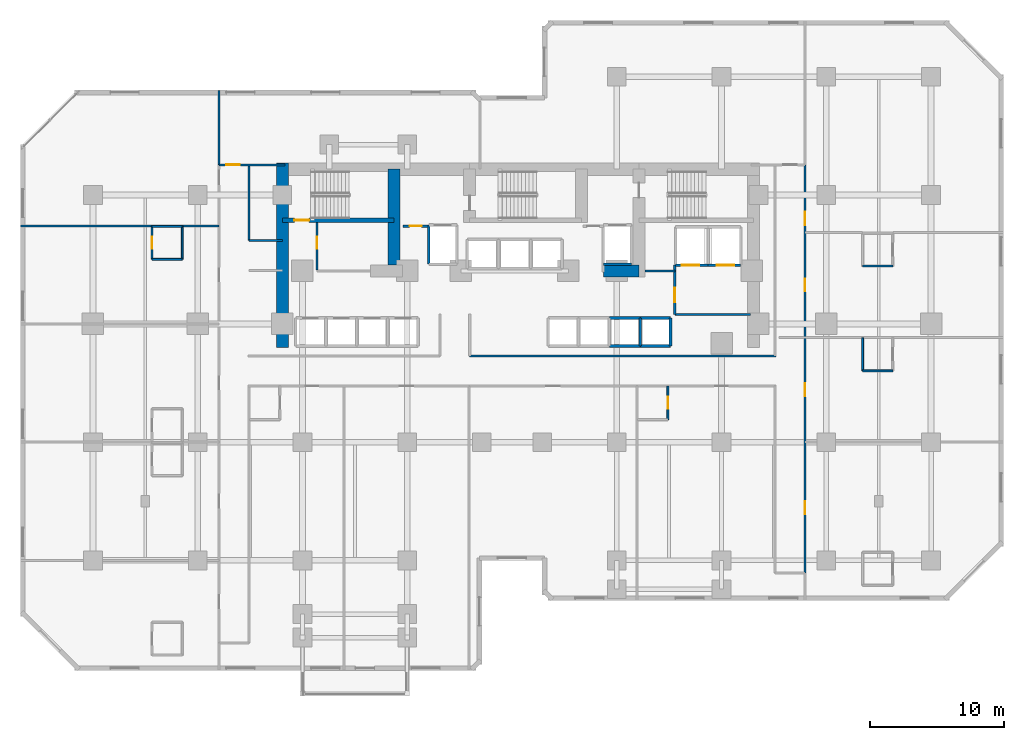
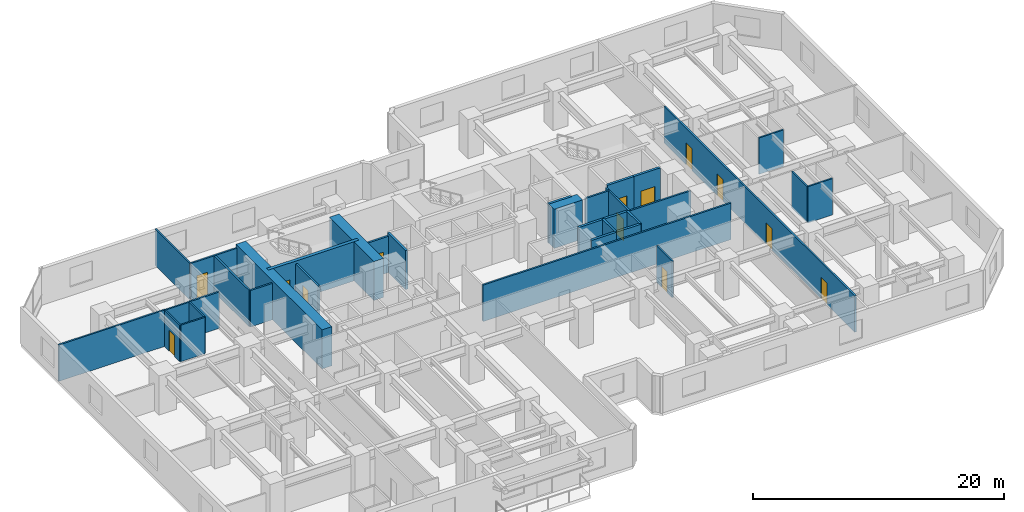
# One storey, part 7 of 11: 35 walls, 13 doors, 13 openings.
"""IFC4 building model written with IfcOpenShell, lengths in metres."""

from ifc_helpers import new_model, si_unit, direction, frame, frame_2d, origin, place, context, subcontext, project, spatial, rectangle, extrude, material, layer, layer_set, type_object, element, fill, save


model = new_model("IFC4")

# Units and contexts
model_context = context("Model", 3, precision=1e-05, world=origin(), true_north=direction((0.0, 1.0)))
body_context = subcontext(model_context, "Body", "Model", "MODEL_VIEW")
ifc_project = project(units=[si_unit("LENGTHUNIT", "METRE"), si_unit("AREAUNIT", "SQUARE_METRE"), si_unit("VOLUMEUNIT", "CUBIC_METRE"), si_unit("PLANEANGLEUNIT", "RADIAN"), si_unit("MASSUNIT", "GRAM", prefix="KILO")], contexts=[model_context])

# Site, building, storey
site_placement = place(None, origin())
site = spatial("IfcSite", under=ifc_project, at=site_placement, CompositionType="ELEMENT")
building_placement = place(site_placement, origin())
building = spatial("IfcBuilding", under=site, at=building_placement, Name="Kestravale Grand Hotel", CompositionType="ELEMENT")
storey_placement = place(building_placement, frame((0.0, 0.0, 29.800048828125)))
storey = spatial("IfcBuildingStorey", under=building, at=storey_placement, Name="L06", CompositionType="ELEMENT", Elevation=29.800048828125)

# Walls
ifc_material_1 = material(Name="Concrete f'c 70 MPa", Category="concrete")
ifc_layer_1 = layer(ifc_material_1, 0.89990234375)
ifc_layer_set_1 = layer_set([ifc_layer_1], Name="EW-CORE-900")
wall_type_1 = type_object("IfcWallType", Name="EW-CORE-900", PredefinedType="SHEAR", material=ifc_layer_set_1)
wall_1_placement = place(storey_placement, frame((21.89990234375, 27.050048828125, 0.0), z_axis=(0.0, 0.0, 1.0), x_axis=(0.0, 1.0, 0.0)))
element("IfcWall", 1, at=wall_1_placement, inside=storey, type_object=wall_type_1, Name="L06 core shear wall W1", PredefinedType="SHEAR", context=body_context, shape_type="SweptSolid", body=[
    extrude(rectangle(XDim=13.719970703125, YDim=0.89990234375, at=frame_2d((6.85986328125, 0.0))), origin(), (0.0, 0.0, 1.0), 3.800048828125),
])
wall_2_placement = place(storey_placement, frame((45.81005859375, 32.75, 0.0), z_axis=(0.0, 0.0, 1.0), x_axis=(1.0, 0.0, 0.0)))
element("IfcWall", 2, at=wall_2_placement, inside=storey, type_object=wall_type_1, Name="L06 core shear wall S2", PredefinedType="SHEAR", context=body_context, shape_type="SweptSolid", body=[
    extrude(rectangle(XDim=2.639892578125, YDim=0.89990234375, at=frame_2d((1.31982421875, 0.0))), origin(), (0.0, 0.0, 1.0), 3.800048828125),
])
wall_3_placement = place(storey_placement, frame((30.219970703125, 33.199951171875, 0.0), z_axis=(0.0, 0.0, 1.0), x_axis=(0.0, 1.0, 0.0)))
element("IfcWall", 3, at=wall_3_placement, inside=storey, type_object=wall_type_1, Name="L06 core shear wall X1", PredefinedType="SHEAR", context=body_context, shape_type="SweptSolid", body=[
    extrude(rectangle(XDim=7.1201171875, YDim=0.89990234375, at=frame_2d((3.56005859375, 0.0))), origin(), (0.0, 0.0, 1.0), 3.800048828125),
])

# Wall, opening, door
ifc_material_2 = material(Name="Concrete f'c 45 MPa", Category="concrete")
ifc_layer_2 = layer(ifc_material_2, 0.300048828125)
ifc_layer_set_2 = layer_set([ifc_layer_2], Name="EW-STAIR-300")
wall_type_2 = type_object("IfcWallType", Name="EW-STAIR-300", PredefinedType="SHEAR", material=ifc_layer_set_2)
wall_4_placement = place(storey_placement, frame((21.89990234375, 36.52001953125, 0.0), z_axis=(0.0, 0.0, 1.0), x_axis=(1.0, 0.0, 0.0)))
wall_4 = element("IfcWall", 4, at=wall_4_placement, inside=storey, type_object=wall_type_2, Name="L06 stair enclosure shear wall SST1", PredefinedType="SHEAR", context=body_context, shape_type="SweptSolid", body=[
    extrude(rectangle(XDim=8.320068359375, YDim=0.300048828125, at=frame_2d((4.16015625, 0.0))), origin(), (0.0, 0.0, 1.0), 3.800048828125),
])
opening_1_placement = place(wall_4_placement, frame((0.89990234375, 0.0, 0.0)))
opening_1 = element("IfcOpeningElement", 5, at=opening_1_placement, cuts=wall_4, Name="Opening D-ST-1100", PredefinedType="OPENING", context=body_context, shape_type="SweptSolid", body=[
    extrude(rectangle(XDim=1.10009765625, YDim=2.14990234375, at=frame_2d((0.550048828125, 1.074951171875))), frame((0.0, 0.159912109375, 0.0), z_axis=(0.0, -1.0, 0.0), x_axis=(1.0, 0.0, 0.0)), (0.0, 0.0, 1.0), 0.320068359375),
])
ifc_material_3 = material(Name="Galvanised 90-minute fire-rated steel stair door", Category="steel")
door_type_1 = type_object("IfcDoorType", Name="D-ST-1100", OperationType="NOTDEFINED", PredefinedType="DOOR", material=ifc_material_3)
door_1_placement = place(opening_1_placement, origin())
door_1 = element("IfcDoor", 6, at=door_1_placement, inside=storey, type_object=door_type_1, Name="L06 Stair ST-1 fire door", OperationType="SINGLE_SWING_RIGHT", OverallHeight=2.14990234375, OverallWidth=1.10009765625, PredefinedType="DOOR", context=body_context, shape_type="SweptSolid", body=[
    extrude(rectangle(XDim=1.10009765625, YDim=2.14990234375, at=frame_2d((0.550048828125, 1.074951171875))), frame((0.0, 0.02490234375, 0.0), z_axis=(0.0, -1.0, 0.0), x_axis=(1.0, 0.0, 0.0)), (0.0, 0.0, 1.0), 0.050048828125),
])
fill(opening_1, door_1)

ifc_material_4 = material(Name="Acoustic fire-rated gypsum board partition", Category="other")
ifc_layer_3 = layer(ifc_material_4, 0.159912109375)
ifc_layer_set_3 = layer_set([ifc_layer_3], Name="IW-CORR-160")
wall_type_3 = type_object("IfcWallType", Name="IW-CORR-160", PredefinedType="PARTITIONING", material=ifc_layer_set_3)
wall_5_placement = place(storey_placement, frame((24.47998046875, 32.800048828125, 0.0), z_axis=(0.0, 0.0, 1.0), x_axis=(0.0, 1.0, 0.0)))
wall_5 = element("IfcWall", 7, at=wall_5_placement, inside=storey, type_object=wall_type_3, Name="L06 west core vestibule wall", PredefinedType="PARTITIONING", context=body_context, shape_type="SweptSolid", body=[
    extrude(rectangle(XDim=3.570068359375, YDim=0.159912109375, at=frame_2d((1.78515625, 0.0))), origin(), (0.0, 0.0, 1.0), 3.5400390625),
])
opening_2_placement = place(wall_5_placement, frame((1.603515625, 0.0, 0.0)))
opening_2 = element("IfcOpeningElement", 8, at=opening_2_placement, cuts=wall_5, Name="Opening D-SH-900", PredefinedType="OPENING", context=body_context, shape_type="SweptSolid", body=[
    extrude(rectangle(XDim=0.89990234375, YDim=2.10009765625, at=frame_2d((0.449951171875, 1.050048828125))), frame((0.0, 0.08984375, 0.0), z_axis=(0.0, -1.0, 0.0), x_axis=(1.0, 0.0, 0.0)), (0.0, 0.0, 1.0), 0.179931640625),
])
ifc_material_5 = material(Name="Galvanised 90-minute shaft and service fire door", Category="steel")
door_type_2 = type_object("IfcDoorType", Name="D-SH-900", OperationType="NOTDEFINED", PredefinedType="DOOR", material=ifc_material_5)
door_2_placement = place(opening_2_placement, origin())
door_2 = element("IfcDoor", 9, at=door_2_placement, inside=storey, type_object=door_type_2, Name="D-L06-HK", OperationType="SINGLE_SWING_RIGHT", OverallHeight=2.10009765625, OverallWidth=0.89990234375, PredefinedType="DOOR", context=body_context, shape_type="SweptSolid", body=[
    extrude(rectangle(XDim=0.89990234375, YDim=2.10009765625, at=frame_2d((0.449951171875, 1.050048828125))), frame((0.0, 0.02490234375, 0.0), z_axis=(0.0, -1.0, 0.0), x_axis=(1.0, 0.0, 0.0)), (0.0, 0.0, 1.0), 0.050048828125),
])
fill(opening_2, door_2)

wall_6_placement = place(storey_placement, frame((51.1201171875, 29.5, 0.0), z_axis=(0.0, 0.0, 1.0), x_axis=(0.0, 1.0, 0.0)))
wall_6 = element("IfcWall", 10, at=wall_6_placement, inside=storey, type_object=wall_type_3, Name="W-L06-SVCLOB-W", PredefinedType="PARTITIONING", context=body_context, shape_type="SweptSolid", body=[
    extrude(rectangle(XDim=3.699951171875, YDim=0.159912109375, at=frame_2d((1.85009765625, 0.0))), origin(), (0.0, 0.0, 1.0), 3.5400390625),
])
opening_3_placement = place(wall_6_placement, frame((0.89990234375, 0.0, 0.0)))
opening_3 = element("IfcOpeningElement", 11, at=opening_3_placement, cuts=wall_6, Name="Opening D-CORR-1100", PredefinedType="OPENING", context=body_context, shape_type="SweptSolid", body=[
    extrude(rectangle(XDim=1.10009765625, YDim=2.14990234375, at=frame_2d((0.550048828125, 1.074951171875))), frame((0.0, 0.08984375, 0.0), z_axis=(0.0, -1.0, 0.0), x_axis=(1.0, 0.0, 0.0)), (0.0, 0.0, 1.0), 0.179931640625),
])
ifc_material_6 = material(Name="Single-leaf service vestibule fire door", Category="steel")
door_type_3 = type_object("IfcDoorType", Name="D-CORR-1100", OperationType="NOTDEFINED", PredefinedType="DOOR", material=ifc_material_6)
door_3_placement = place(opening_3_placement, origin())
door_3 = element("IfcDoor", 12, at=door_3_placement, inside=storey, type_object=door_type_3, Name="L06 service lift lobby door", OperationType="SINGLE_SWING_LEFT", OverallHeight=2.14990234375, OverallWidth=1.10009765625, PredefinedType="DOOR", context=body_context, shape_type="SweptSolid", body=[
    extrude(rectangle(XDim=1.10009765625, YDim=2.14990234375, at=frame_2d((0.550048828125, 1.074951171875))), frame((0.0, 0.02490234375, 0.0), z_axis=(0.0, -1.0, 0.0), x_axis=(1.0, 0.0, 0.0)), (0.0, 0.0, 1.0), 0.050048828125),
])
fill(opening_3, door_3)

# Walls
wall_7_placement = place(storey_placement, frame((51.1201171875, 29.5, 0.0), z_axis=(0.0, 0.0, 1.0), x_axis=(1.0, 0.0, 0.0)))
element("IfcWall", 13, at=wall_7_placement, inside=storey, type_object=wall_type_3, Name="L06 service lift lobby wall", PredefinedType="PARTITIONING", context=body_context, shape_type="SweptSolid", body=[
    extrude(rectangle(XDim=5.6298828125, YDim=0.159912109375, at=frame_2d((2.81494140625, 0.0))), origin(), (0.0, 0.0, 1.0), 3.5400390625),
])
wall_8_placement = place(storey_placement, frame((48.919921875, 32.75, 0.0), z_axis=(0.0, 0.0, 1.0), x_axis=(1.0, 0.0, 0.0)))
element("IfcWall", 14, at=wall_8_placement, inside=storey, type_object=wall_type_3, Name="W-L06-CES", PredefinedType="PARTITIONING", context=body_context, shape_type="SweptSolid", body=[
    extrude(rectangle(XDim=2.2001953125, YDim=0.159912109375, at=frame_2d((1.10009765625, 0.0))), origin(), (0.0, 0.0, 1.0), 3.5400390625),
])
wall_9_placement = place(storey_placement, frame((35.85009765625, 26.409912109375, 0.0), z_axis=(0.0, 0.0, 1.0), x_axis=(1.0, 0.0, 0.0)))
element("IfcWall", 15, at=wall_9_placement, inside=storey, type_object=wall_type_3, Name="W-L06-CE-N", PredefinedType="PARTITIONING", context=body_context, shape_type="SweptSolid", body=[
    extrude(rectangle(XDim=22.7998046875, YDim=0.159912109375, at=frame_2d((11.39990234375, 0.0))), origin(), (0.0, 0.0, 1.0), 3.5400390625),
])
wall_10_placement = place(storey_placement, frame((19.409912109375, 35.02001953125, 0.0), z_axis=(0.0, 0.0, 1.0), x_axis=(0.0, 1.0, 0.0)))
element("IfcWall", 16, at=wall_10_placement, inside=storey, type_object=wall_type_3, Name="W-L06-SW-EN", PredefinedType="PARTITIONING", context=body_context, shape_type="SweptSolid", body=[
    extrude(rectangle(XDim=5.6298828125, YDim=0.159912109375, at=frame_2d((2.81494140625, 0.0))), origin(), (0.0, 0.0, 1.0), 3.5400390625),
])
wall_11_placement = place(storey_placement, frame((19.409912109375, 35.02001953125, 0.0), z_axis=(0.0, 0.0, 1.0), x_axis=(1.0, 0.0, 0.0)))
element("IfcWall", 17, at=wall_11_placement, inside=storey, type_object=wall_type_3, Name="W-L06-SW-CN", PredefinedType="PARTITIONING", context=body_context, shape_type="SweptSolid", body=[
    extrude(rectangle(XDim=2.489990234375, YDim=0.159912109375, at=frame_2d((1.2451171875, 0.0))), origin(), (0.0, 0.0, 1.0), 3.5400390625),
])

# Wall, openings, doors
wall_12_placement = place(storey_placement, frame((60.81005859375, 10.25, 0.0), z_axis=(0.0, 0.0, 1.0), x_axis=(0.0, 1.0, 0.0)))
wall_12 = element("IfcWall", 18, at=wall_12_placement, inside=storey, type_object=wall_type_3, Name="W-L06-SE-E", PredefinedType="PARTITIONING", context=body_context, shape_type="SweptSolid", body=[
    extrude(rectangle(XDim=30.39990234375, YDim=0.159912109375, at=frame_2d((15.199951171875, 0.0))), origin(), (0.0, 0.0, 1.0), 3.5400390625),
])
opening_4_placement = place(wall_12_placement, frame((4.39990234375, 0.0, 0.0)))
opening_4 = element("IfcOpeningElement", 19, at=opening_4_placement, cuts=wall_12, Name="Opening D-GUEST-950", PredefinedType="OPENING", context=body_context, shape_type="SweptSolid", body=[
    extrude(rectangle(XDim=0.949951171875, YDim=2.10009765625, at=frame_2d((0.47509765625, 1.050048828125))), frame((0.0, 0.08984375, 0.0), z_axis=(0.0, -1.0, 0.0), x_axis=(1.0, 0.0, 0.0)), (0.0, 0.0, 1.0), 0.179931640625),
])
opening_5_placement = place(wall_12_placement, frame((13.175048828125, 0.0, 0.0)))
opening_5 = element("IfcOpeningElement", 20, at=opening_5_placement, cuts=wall_12, Name="Opening D-GUEST-950", PredefinedType="OPENING", context=body_context, shape_type="SweptSolid", body=[
    extrude(rectangle(XDim=0.949951171875, YDim=2.10009765625, at=frame_2d((0.47509765625, 1.050048828125))), frame((0.0, 0.08984375, 0.0), z_axis=(0.0, -1.0, 0.0), x_axis=(1.0, 0.0, 0.0)), (0.0, 0.0, 1.0), 0.179931640625),
])
opening_6_placement = place(wall_12_placement, frame((20.97509765625, 0.0, 0.0)))
opening_6 = element("IfcOpeningElement", 21, at=opening_6_placement, cuts=wall_12, Name="Opening D-GUEST-950", PredefinedType="OPENING", context=body_context, shape_type="SweptSolid", body=[
    extrude(rectangle(XDim=0.949951171875, YDim=2.10009765625, at=frame_2d((0.47509765625, 1.050048828125))), frame((0.0, 0.08984375, 0.0), z_axis=(0.0, -1.0, 0.0), x_axis=(1.0, 0.0, 0.0)), (0.0, 0.0, 1.0), 0.179931640625),
])
opening_7_placement = place(wall_12_placement, frame((25.89990234375, 0.0, 0.0)))
opening_7 = element("IfcOpeningElement", 22, at=opening_7_placement, cuts=wall_12, Name="Opening D-GUEST-1000", PredefinedType="OPENING", context=body_context, shape_type="SweptSolid", body=[
    extrude(rectangle(XDim=1.0, YDim=2.14990234375, at=frame_2d((0.5, 1.074951171875))), frame((0.0, 0.08984375, 0.0), z_axis=(0.0, -1.0, 0.0), x_axis=(1.0, 0.0, 0.0)), (0.0, 0.0, 1.0), 0.179931640625),
])
ifc_material_7 = material(Name="Accessible walnut veneer hotel entrance fire door", Category="wood")
door_type_4 = type_object("IfcDoorType", Name="D-GUEST-1000", OperationType="NOTDEFINED", PredefinedType="DOOR", material=ifc_material_7)
door_4_placement = place(opening_7_placement, origin())
door_4 = element("IfcDoor", 23, at=door_4_placement, inside=storey, type_object=door_type_4, Name="D-L06-AMEW", OperationType="SINGLE_SWING_LEFT", OverallHeight=2.14990234375, OverallWidth=1.0, PredefinedType="DOOR", context=body_context, shape_type="SweptSolid", body=[
    extrude(rectangle(XDim=1.0, YDim=2.14990234375, at=frame_2d((0.5, 1.074951171875))), frame((0.0, 0.02490234375, 0.0), z_axis=(0.0, -1.0, 0.0), x_axis=(1.0, 0.0, 0.0)), (0.0, 0.0, 1.0), 0.050048828125),
])
fill(opening_7, door_4)
ifc_material_8 = material(Name="Walnut veneer hotel guestroom entrance fire door", Category="wood")
door_type_5 = type_object("IfcDoorType", Name="D-GUEST-950", OperationType="NOTDEFINED", PredefinedType="DOOR", material=ifc_material_8)
door_5_placement = place(opening_4_placement, origin())
door_5 = element("IfcDoor", 24, at=door_5_placement, inside=storey, type_object=door_type_5, Name="D-L06-U07-ENT", OperationType="SINGLE_SWING_RIGHT", OverallHeight=2.10009765625, OverallWidth=0.949951171875, PredefinedType="DOOR", context=body_context, shape_type="SweptSolid", body=[
    extrude(rectangle(XDim=0.949951171875, YDim=2.10009765625, at=frame_2d((0.47509765625, 1.050048828125))), frame((0.0, 0.02490234375, 0.0), z_axis=(0.0, -1.0, 0.0), x_axis=(1.0, 0.0, 0.0)), (0.0, 0.0, 1.0), 0.050048828125),
])
fill(opening_4, door_5)
door_6_placement = place(opening_5_placement, origin())
door_6 = element("IfcDoor", 25, at=door_6_placement, inside=storey, type_object=door_type_5, Name="D-L06-U08-ENT", OperationType="SINGLE_SWING_RIGHT", OverallHeight=2.10009765625, OverallWidth=0.949951171875, PredefinedType="DOOR", context=body_context, shape_type="SweptSolid", body=[
    extrude(rectangle(XDim=0.949951171875, YDim=2.10009765625, at=frame_2d((0.47509765625, 1.050048828125))), frame((0.0, 0.02490234375, 0.0), z_axis=(0.0, -1.0, 0.0), x_axis=(1.0, 0.0, 0.0)), (0.0, 0.0, 1.0), 0.050048828125),
])
fill(opening_5, door_6)
door_7_placement = place(opening_6_placement, origin())
door_7 = element("IfcDoor", 26, at=door_7_placement, inside=storey, type_object=door_type_5, Name="D-L06-U09-ENT", OperationType="SINGLE_SWING_RIGHT", OverallHeight=2.10009765625, OverallWidth=0.949951171875, PredefinedType="DOOR", context=body_context, shape_type="SweptSolid", body=[
    extrude(rectangle(XDim=0.949951171875, YDim=2.10009765625, at=frame_2d((0.47509765625, 1.050048828125))), frame((0.0, 0.02490234375, 0.0), z_axis=(0.0, -1.0, 0.0), x_axis=(1.0, 0.0, 0.0)), (0.0, 0.0, 1.0), 0.050048828125),
])
fill(opening_6, door_7)

# Wall, opening, door
ifc_material_9 = material(Name="Fire-rated gypsum board on steel studs with mineral wool", Category="steel")
ifc_layer_4 = layer(ifc_material_9, 0.179931640625)
ifc_layer_set_4 = layer_set([ifc_layer_4], Name="IW-FSAE-180")
wall_type_4 = type_object("IfcWallType", Name="IW-FSAE-180", PredefinedType="PARTITIONING", material=ifc_layer_set_4)
wall_13_placement = place(storey_placement, frame((30.89990234375, 36.080078125, 0.0), z_axis=(0.0, 0.0, 1.0), x_axis=(1.0, 0.0, 0.0)))
wall_13 = element("IfcWall", 27, at=wall_13_placement, inside=storey, type_object=wall_type_4, Name="L06 FSAE Lobby 1 smoke barrier", PredefinedType="PARTITIONING", context=body_context, shape_type="SweptSolid", body=[
    extrude(rectangle(XDim=1.85009765625, YDim=0.179931640625, at=frame_2d((0.925048828125, 0.0))), origin(), (0.0, 0.0, 1.0), 3.5400390625),
])
opening_8_placement = place(wall_13_placement, frame((0.47998046875, 0.0, 0.0)))
opening_8 = element("IfcOpeningElement", 28, at=opening_8_placement, cuts=wall_13, Name="Opening D-FSAE-1000", PredefinedType="OPENING", context=body_context, shape_type="SweptSolid", body=[
    extrude(rectangle(XDim=0.89990234375, YDim=2.14990234375, at=frame_2d((0.449951171875, 1.074951171875))), frame((0.0, 0.099853515625, 0.0), z_axis=(0.0, -1.0, 0.0), x_axis=(1.0, 0.0, 0.0)), (0.0, 0.0, 1.0), 0.199951171875),
])
ifc_material_10 = material(Name="Smoke-gasketed FSAE lobby fire door", Category="steel")
door_type_6 = type_object("IfcDoorType", Name="D-FSAE-1000", OperationType="NOTDEFINED", PredefinedType="DOOR", material=ifc_material_10)
door_8_placement = place(opening_8_placement, origin())
door_8 = element("IfcDoor", 29, at=door_8_placement, inside=storey, type_object=door_type_6, Name="L06 FSAE Lobby 1 fire door", OperationType="SINGLE_SWING_RIGHT", OverallHeight=2.14990234375, OverallWidth=0.89990234375, PredefinedType="DOOR", context=body_context, shape_type="SweptSolid", body=[
    extrude(rectangle(XDim=0.89990234375, YDim=2.14990234375, at=frame_2d((0.449951171875, 1.074951171875))), frame((0.0, 0.02490234375, 0.0), z_axis=(0.0, -1.0, 0.0), x_axis=(1.0, 0.0, 0.0)), (0.0, 0.0, 1.0), 0.050048828125),
])
fill(opening_8, door_8)

ifc_material_11 = material(Name="Moisture-resistant tile-backer plumbing chase wall", Category="other")
ifc_layer_5 = layer(ifc_material_11, 0.139892578125)
ifc_layer_set_5 = layer_set([ifc_layer_5], Name="IW-PLB-140")
wall_type_5 = type_object("IfcWallType", Name="IW-PLB-140", PredefinedType="PLUMBINGWALL", material=ifc_layer_set_5)
wall_14_placement = place(storey_placement, frame((50.60498046875, 21.679931640625, 0.0), z_axis=(0.0, 0.0, 1.0), x_axis=(0.0, 1.0, 0.0)))
wall_14 = element("IfcWall", 30, at=wall_14_placement, inside=storey, type_object=wall_type_5, Name="W-L06-U02-BE", PredefinedType="PLUMBINGWALL", context=body_context, shape_type="SweptSolid", body=[
    extrude(rectangle(XDim=2.489990234375, YDim=0.139892578125, at=frame_2d((1.2451171875, 0.0))), origin(), (0.0, 0.0, 1.0), 3.5400390625),
])
opening_9_placement = place(wall_14_placement, frame((0.804931640625, 0.0, 0.0)))
opening_9 = element("IfcOpeningElement", 31, at=opening_9_placement, cuts=wall_14, Name="Opening D-BATH-880", PredefinedType="OPENING", context=body_context, shape_type="SweptSolid", body=[
    extrude(rectangle(XDim=0.8798828125, YDim=2.050048828125, at=frame_2d((0.43994140625, 1.02490234375))), frame((0.0, 0.079833984375, 0.0), z_axis=(0.0, -1.0, 0.0), x_axis=(1.0, 0.0, 0.0)), (0.0, 0.0, 1.0), 0.159912109375),
])
ifc_material_12 = material(Name="Moisture-sealed walnut en-suite bathroom door", Category="wood")
door_type_7 = type_object("IfcDoorType", Name="D-BATH-880", OperationType="NOTDEFINED", PredefinedType="DOOR", material=ifc_material_12)
door_9_placement = place(opening_9_placement, origin())
door_9 = element("IfcDoor", 32, at=door_9_placement, inside=storey, type_object=door_type_7, Name="D-L06-U02-BATH", OperationType="SINGLE_SWING_RIGHT", OverallHeight=2.050048828125, OverallWidth=0.8798828125, PredefinedType="DOOR", context=body_context, shape_type="SweptSolid", body=[
    extrude(rectangle(XDim=0.8798828125, YDim=2.050048828125, at=frame_2d((0.43994140625, 1.02490234375))), frame((0.0, 0.02490234375, 0.0), z_axis=(0.0, -1.0, 0.0), x_axis=(1.0, 0.0, 0.0)), (0.0, 0.0, 1.0), 0.050048828125),
])
fill(opening_9, door_9)

wall_15_placement = place(storey_placement, frame((12.199951171875, 33.610107421875, 0.0), z_axis=(0.0, 0.0, 1.0), x_axis=(0.0, 1.0, 0.0)))
wall_15 = element("IfcWall", 33, at=wall_15_placement, inside=storey, type_object=wall_type_5, Name="W-L06-U06-BW", PredefinedType="PLUMBINGWALL", context=body_context, shape_type="SweptSolid", body=[
    extrude(rectangle(XDim=2.449951171875, YDim=0.139892578125, at=frame_2d((1.22509765625, 0.0))), origin(), (0.0, 0.0, 1.0), 3.5400390625),
])
opening_10_placement = place(wall_15_placement, frame((0.784912109375, 0.0, 0.0)))
opening_10 = element("IfcOpeningElement", 34, at=opening_10_placement, cuts=wall_15, Name="Opening D-BATH-880", PredefinedType="OPENING", context=body_context, shape_type="SweptSolid", body=[
    extrude(rectangle(XDim=0.8798828125, YDim=2.050048828125, at=frame_2d((0.43994140625, 1.02490234375))), frame((0.0, 0.079833984375, 0.0), z_axis=(0.0, -1.0, 0.0), x_axis=(1.0, 0.0, 0.0)), (0.0, 0.0, 1.0), 0.159912109375),
])
door_10_placement = place(opening_10_placement, origin())
door_10 = element("IfcDoor", 35, at=door_10_placement, inside=storey, type_object=door_type_7, Name="D-L06-U06-BATH", OperationType="SINGLE_SWING_RIGHT", OverallHeight=2.050048828125, OverallWidth=0.8798828125, PredefinedType="DOOR", context=body_context, shape_type="SweptSolid", body=[
    extrude(rectangle(XDim=0.8798828125, YDim=2.050048828125, at=frame_2d((0.43994140625, 1.02490234375))), frame((0.0, 0.02490234375, 0.0), z_axis=(0.0, -1.0, 0.0), x_axis=(1.0, 0.0, 0.0)), (0.0, 0.0, 1.0), 0.050048828125),
])
fill(opening_10, door_10)

# Walls
wall_16_placement = place(storey_placement, frame((14.449951171875, 33.610107421875, 0.0), z_axis=(0.0, 0.0, 1.0), x_axis=(0.0, 1.0, 0.0)))
element("IfcWall", 36, at=wall_16_placement, inside=storey, type_object=wall_type_5, Name="W-L06-U06-BE", PredefinedType="PLUMBINGWALL", context=body_context, shape_type="SweptSolid", body=[
    extrude(rectangle(XDim=2.449951171875, YDim=0.139892578125, at=frame_2d((1.22509765625, 0.0))), origin(), (0.0, 0.0, 1.0), 3.5400390625),
])
for number, where, z_axis, x_axis, name in (
    (37, (12.199951171875, 33.610107421875, 0.0), (0.0, 0.0, 1.0), (1.0, 0.0, 0.0), "W-L06-U06-BS"),
    (38, (12.199951171875, 36.06005859375, 0.0), (0.0, 0.0, 1.0), (1.0, 0.0, 0.0), "W-L06-U06-BN"),
):
    element("IfcWall", number, at=place(storey_placement, frame(where, z_axis=z_axis, x_axis=x_axis)), inside=storey, type_object=wall_type_5, Name=name, PredefinedType="PLUMBINGWALL", context=body_context, shape_type="SweptSolid", body=[
        extrude(rectangle(XDim=2.25, YDim=0.139892578125, at=frame_2d((1.125, 0.0))), origin(), (0.0, 0.0, 1.0), 3.5400390625),
    ])
wall_17_placement = place(storey_placement, frame((65.10009765625, 25.31005859375, 0.0), z_axis=(0.0, 0.0, 1.0), x_axis=(0.0, 1.0, 0.0)))
element("IfcWall", 39, at=wall_17_placement, inside=storey, type_object=wall_type_5, Name="W-L06-U08-BW", PredefinedType="PLUMBINGWALL", context=body_context, shape_type="SweptSolid", body=[
    extrude(rectangle(XDim=2.449951171875, YDim=0.139892578125, at=frame_2d((1.22509765625, 0.0))), origin(), (0.0, 0.0, 1.0), 3.5400390625),
])
for number, where, z_axis, x_axis, name in (
    (40, (65.10009765625, 25.31005859375, 0.0), (0.0, 0.0, 1.0), (1.0, 0.0, 0.0), "W-L06-U08-BS"),
    (41, (65.10009765625, 33.110107421875, 0.0), (0.0, 0.0, 1.0), (1.0, 0.0, 0.0), "W-L06-U09-BS"),
):
    element("IfcWall", number, at=place(storey_placement, frame(where, z_axis=z_axis, x_axis=x_axis)), inside=storey, type_object=wall_type_5, Name=name, PredefinedType="PLUMBINGWALL", context=body_context, shape_type="SweptSolid", body=[
        extrude(rectangle(XDim=2.25, YDim=0.139892578125, at=frame_2d((1.125, 0.0))), origin(), (0.0, 0.0, 1.0), 3.5400390625),
    ])
ifc_material_13 = material(Name="Concrete f'c 45 MPa", Category="concrete")
ifc_layer_6 = layer(ifc_material_13, 0.199951171875)
ifc_layer_set_6 = layer_set([ifc_layer_6], Name="IW-SHAFT-200")
wall_type_6 = type_object("IfcWallType", Name="IW-SHAFT-200", PredefinedType="SHEAR", material=ifc_layer_set_6)
for number, where, z_axis, x_axis, name in (
    (42, (48.550048828125, 27.169921875, 0.0), (0.0, 0.0, 1.0), (0.0, 1.0, 0.0), "L06 PL-M4 west shaft wall"),
    (43, (50.794921875, 27.169921875, 0.0), (0.0, 0.0, 1.0), (0.0, 1.0, 0.0), "L06 PL-M4 east shaft wall"),
):
    element("IfcWall", number, at=place(storey_placement, frame(where, z_axis=z_axis, x_axis=x_axis)), inside=storey, type_object=wall_type_6, Name=name, PredefinedType="SHEAR", context=body_context, shape_type="SweptSolid", body=[
        extrude(rectangle(XDim=2.06005859375, YDim=0.199951171875, at=frame_2d((1.030029296875, 0.0))), origin(), (0.0, 0.0, 1.0), 3.800048828125),
    ])
wall_18_placement = place(storey_placement, frame((32.804931640625, 33.2451171875, 0.0), z_axis=(0.0, 0.0, 1.0), x_axis=(0.0, 1.0, 0.0)))
element("IfcWall", 44, at=wall_18_placement, inside=storey, type_object=wall_type_6, Name="L06 FL-1 west shaft wall", PredefinedType="SHEAR", context=body_context, shape_type="SweptSolid", body=[
    extrude(rectangle(XDim=2.909912109375, YDim=0.199951171875, at=frame_2d((1.455078125, 0.0))), origin(), (0.0, 0.0, 1.0), 3.800048828125),
])
ifc_material_14 = material(Name="Concrete f'c 45 MPa", Category="concrete")
ifc_layer_7 = layer(ifc_material_14, 0.219970703125)
ifc_layer_set_7 = layer_set([ifc_layer_7], Name="IW-SHAFT-220")
wall_type_7 = type_object("IfcWallType", Name="IW-SHAFT-220", PredefinedType="SHEAR", material=ifc_layer_set_7)
for number, where, z_axis, x_axis, name in (
    (45, (46.25, 29.22998046875, 0.0), (0.0, 0.0, 1.0), (1.0, 0.0, 0.0), "L06 PL-M3 north shaft wall"),
    (46, (46.25, 27.169921875, 0.0), (0.0, 0.0, 1.0), (1.0, 0.0, 0.0), "L06 PL-M3 south shaft wall"),
):
    element("IfcWall", number, at=place(storey_placement, frame(where, z_axis=z_axis, x_axis=x_axis)), inside=storey, type_object=wall_type_7, Name=name, PredefinedType="SHEAR", context=body_context, shape_type="SweptSolid", body=[
        extrude(rectangle(XDim=2.300048828125, YDim=0.219970703125, at=frame_2d((1.14990234375, 0.0))), origin(), (0.0, 0.0, 1.0), 3.800048828125),
    ])
for number, where, z_axis, x_axis, name in (
    (47, (48.550048828125, 29.22998046875, 0.0), (0.0, 0.0, 1.0), (1.0, 0.0, 0.0), "L06 PL-M4 north shaft wall"),
    (48, (48.550048828125, 27.169921875, 0.0), (0.0, 0.0, 1.0), (1.0, 0.0, 0.0), "L06 PL-M4 south shaft wall"),
):
    element("IfcWall", number, at=place(storey_placement, frame(where, z_axis=z_axis, x_axis=x_axis)), inside=storey, type_object=wall_type_7, Name=name, PredefinedType="SHEAR", context=body_context, shape_type="SweptSolid", body=[
        extrude(rectangle(XDim=2.244873046875, YDim=0.219970703125, at=frame_2d((1.12255859375, 0.0))), origin(), (0.0, 0.0, 1.0), 3.800048828125),
    ])

# Wall, opening, door
wall_19_placement = place(storey_placement, frame((51.179931640625, 33.169921875, 0.0), z_axis=(0.0, 0.0, 1.0), x_axis=(1.0, 0.0, 0.0)))
wall_19 = element("IfcWall", 49, at=wall_19_placement, inside=storey, type_object=wall_type_7, Name="L06 SL-1 south shaft wall", PredefinedType="SHEAR", context=body_context, shape_type="SweptSolid", body=[
    extrude(rectangle(XDim=2.420166015625, YDim=0.219970703125, at=frame_2d((1.2099609375, 0.0))), origin(), (0.0, 0.0, 1.0), 3.800048828125),
])
opening_11_placement = place(wall_19_placement, frame((0.469970703125, 0.0, 0.0)))
opening_11 = element("IfcOpeningElement", 50, at=opening_11_placement, cuts=wall_19, Name="Opening LD-SVC-1300", PredefinedType="OPENING", context=body_context, shape_type="SweptSolid", body=[
    extrude(rectangle(XDim=1.300048828125, YDim=2.14990234375, at=frame_2d((0.64990234375, 1.074951171875))), frame((0.0, 0.119873046875, 0.0), z_axis=(0.0, -1.0, 0.0), x_axis=(1.0, 0.0, 0.0)), (0.0, 0.0, 1.0), 0.239990234375),
])
ifc_material_15 = material(Name="Heavy-duty service sliding elevator landing door", Category="steel")
door_type_8 = type_object("IfcDoorType", Name="LD-SVC-1300", OperationType="NOTDEFINED", PredefinedType="DOOR", material=ifc_material_15)
door_11_placement = place(opening_11_placement, origin())
door_11 = element("IfcDoor", 51, at=door_11_placement, inside=storey, type_object=door_type_8, Name="L06 SL-1 elevator landing sliding door", OperationType="DOUBLE_DOOR_SLIDING", OverallHeight=2.14990234375, OverallWidth=1.300048828125, PredefinedType="DOOR", context=body_context, shape_type="SweptSolid", body=[
    extrude(rectangle(XDim=1.300048828125, YDim=2.14990234375, at=frame_2d((0.64990234375, 1.074951171875))), frame((0.0, 0.02490234375, 0.0), z_axis=(0.0, -1.0, 0.0), x_axis=(1.0, 0.0, 0.0)), (0.0, 0.0, 1.0), 0.050048828125),
])
fill(opening_11, door_11)

wall_20_placement = place(storey_placement, frame((53.60009765625, 33.169921875, 0.0), z_axis=(0.0, 0.0, 1.0), x_axis=(1.0, 0.0, 0.0)))
wall_20 = element("IfcWall", 52, at=wall_20_placement, inside=storey, type_object=wall_type_7, Name="L06 SL-2 south shaft wall", PredefinedType="SHEAR", context=body_context, shape_type="SweptSolid", body=[
    extrude(rectangle(XDim=2.419921875, YDim=0.219970703125, at=frame_2d((1.2099609375, 0.0))), origin(), (0.0, 0.0, 1.0), 3.800048828125),
])
opening_12_placement = place(wall_20_placement, frame((0.64990234375, 0.0, 0.0)))
opening_12 = element("IfcOpeningElement", 53, at=opening_12_placement, cuts=wall_20, Name="Opening LD-SVC-1300", PredefinedType="OPENING", context=body_context, shape_type="SweptSolid", body=[
    extrude(rectangle(XDim=1.300048828125, YDim=2.14990234375, at=frame_2d((0.64990234375, 1.074951171875))), frame((0.0, 0.119873046875, 0.0), z_axis=(0.0, -1.0, 0.0), x_axis=(1.0, 0.0, 0.0)), (0.0, 0.0, 1.0), 0.239990234375),
])
door_12_placement = place(opening_12_placement, origin())
door_12 = element("IfcDoor", 54, at=door_12_placement, inside=storey, type_object=door_type_8, Name="L06 SL-2 elevator landing sliding door", OperationType="DOUBLE_DOOR_SLIDING", OverallHeight=2.14990234375, OverallWidth=1.300048828125, PredefinedType="DOOR", context=body_context, shape_type="SweptSolid", body=[
    extrude(rectangle(XDim=1.300048828125, YDim=2.14990234375, at=frame_2d((0.64990234375, 1.074951171875))), frame((0.0, 0.02490234375, 0.0), z_axis=(0.0, -1.0, 0.0), x_axis=(1.0, 0.0, 0.0)), (0.0, 0.0, 1.0), 0.050048828125),
])
fill(opening_12, door_12)

# Wall
wall_21_placement = place(storey_placement, frame((45.804931640625, 33.2451171875, 0.0), z_axis=(0.0, 0.0, 1.0), x_axis=(1.0, 0.0, 0.0)))
element("IfcWall", 55, at=wall_21_placement, inside=storey, type_object=wall_type_7, Name="L06 FL-2 south shaft wall", PredefinedType="SHEAR", context=body_context, shape_type="SweptSolid", body=[
    extrude(rectangle(XDim=2.090087890625, YDim=0.219970703125, at=frame_2d((1.044921875, 0.0))), origin(), (0.0, 0.0, 1.0), 3.800048828125),
])

# Wall, opening, door
ifc_material_16 = material(Name="Double-stud STC 52 acoustic demising partition", Category="other")
ifc_layer_8 = layer(ifc_material_16, 0.14990234375)
ifc_layer_set_8 = layer_set([ifc_layer_8], Name="IW-UNIT-150")
wall_type_8 = type_object("IfcWallType", Name="IW-UNIT-150", PredefinedType="PARTITIONING", material=ifc_layer_set_8)
wall_22_placement = place(storey_placement, frame((17.18994140625, 40.64990234375, 0.0), z_axis=(0.0, 0.0, 1.0), x_axis=(1.0, 0.0, 0.0)))
wall_22 = element("IfcWall", 56, at=wall_22_placement, inside=storey, type_object=wall_type_8, Name="W-L06-SW-N", PredefinedType="PARTITIONING", context=body_context, shape_type="SweptSolid", body=[
    extrude(rectangle(XDim=4.91015625, YDim=0.14990234375, at=frame_2d((2.455078125, 0.0))), origin(), (0.0, 0.0, 1.0), 3.5400390625),
])
opening_13_placement = place(wall_22_placement, frame((0.550048828125, 0.0, 0.0)))
opening_13 = element("IfcOpeningElement", 57, at=opening_13_placement, cuts=wall_22, Name="Opening D-GUEST-1000", PredefinedType="OPENING", context=body_context, shape_type="SweptSolid", body=[
    extrude(rectangle(XDim=1.0, YDim=2.14990234375, at=frame_2d((0.5, 1.074951171875))), frame((0.0, 0.0849609375, 0.0), z_axis=(0.0, -1.0, 0.0), x_axis=(1.0, 0.0, 0.0)), (0.0, 0.0, 1.0), 0.169921875),
])
door_13_placement = place(opening_13_placement, origin())
door_13 = element("IfcDoor", 58, at=door_13_placement, inside=storey, type_object=door_type_4, Name="L06 NW Gallery Door", OperationType="SINGLE_SWING_RIGHT", OverallHeight=2.14990234375, OverallWidth=1.0, PredefinedType="DOOR", context=body_context, shape_type="SweptSolid", body=[
    extrude(rectangle(XDim=1.0, YDim=2.14990234375, at=frame_2d((0.5, 1.074951171875))), frame((0.0, 0.02490234375, 0.0), z_axis=(0.0, -1.0, 0.0), x_axis=(1.0, 0.0, 0.0)), (0.0, 0.0, 1.0), 0.050048828125),
])
fill(opening_13, door_13)

# Walls
wall_23_placement = place(storey_placement, frame((17.18994140625, 40.64990234375, 0.0), z_axis=(0.0, 0.0, 1.0), x_axis=(0.0, 1.0, 0.0)))
element("IfcWall", 59, at=wall_23_placement, inside=storey, type_object=wall_type_8, Name="W-L06-NGW-W", PredefinedType="PARTITIONING", context=body_context, shape_type="SweptSolid", body=[
    extrude(rectangle(XDim=5.530029296875, YDim=0.14990234375, at=frame_2d((2.76513671875, 0.0))), origin(), (0.0, 0.0, 1.0), 3.5400390625),
])
wall_24_placement = place(storey_placement, frame((2.419921875, 36.10009765625, 0.0), z_axis=(0.0, 0.0, 1.0), x_axis=(1.0, 0.0, 0.0)))
element("IfcWall", 60, at=wall_24_placement, inside=storey, type_object=wall_type_8, Name="W-L06-WW-4", PredefinedType="PARTITIONING", context=body_context, shape_type="SweptSolid", body=[
    extrude(rectangle(XDim=9.780029296875, YDim=0.14990234375, at=frame_2d((4.89013671875, 0.0))), origin(), (0.0, 0.0, 1.0), 3.5400390625),
])
wall_25_placement = place(storey_placement, frame((14.449951171875, 36.10009765625, 0.0), z_axis=(0.0, 0.0, 1.0), x_axis=(1.0, 0.0, 0.0)))
element("IfcWall", 61, at=wall_25_placement, inside=storey, type_object=wall_type_8, Name="W-L06-WW-4", PredefinedType="PARTITIONING", context=body_context, shape_type="SweptSolid", body=[
    extrude(rectangle(XDim=2.739990234375, YDim=0.14990234375, at=frame_2d((1.3701171875, 0.0))), origin(), (0.0, 0.0, 1.0), 3.5400390625),
])

save(model, "model.ifc")
